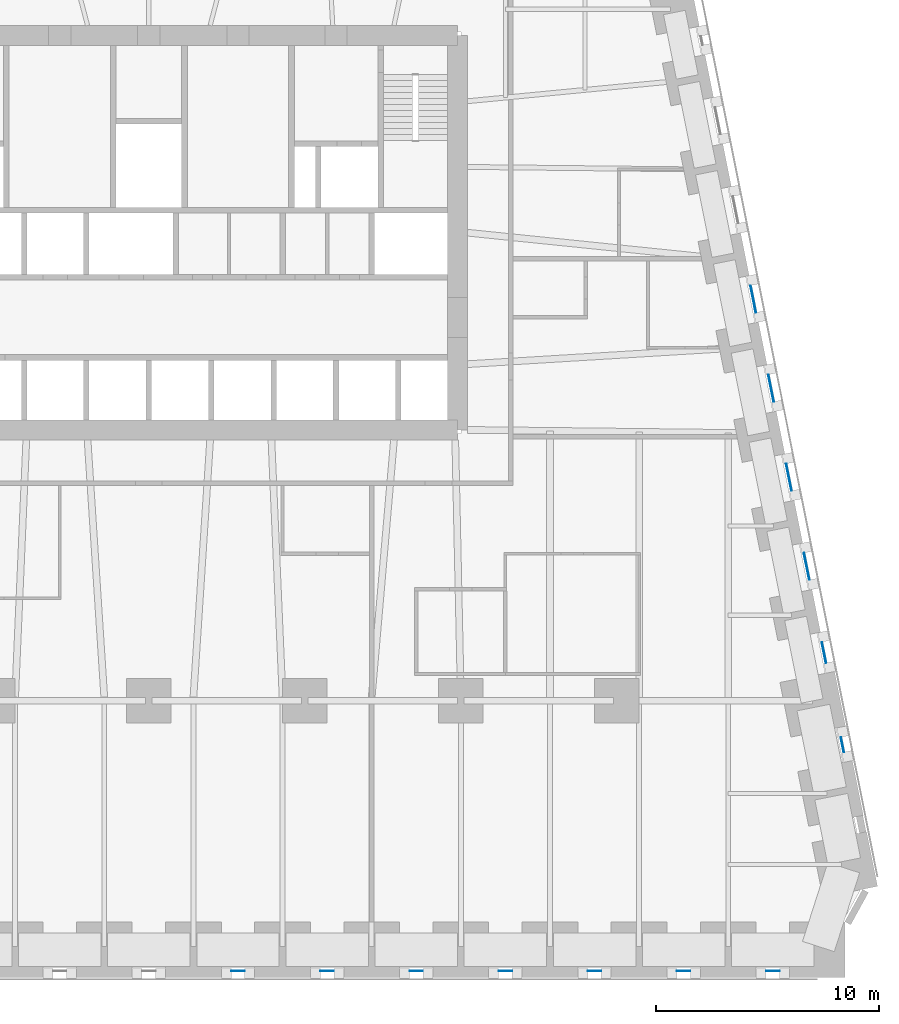
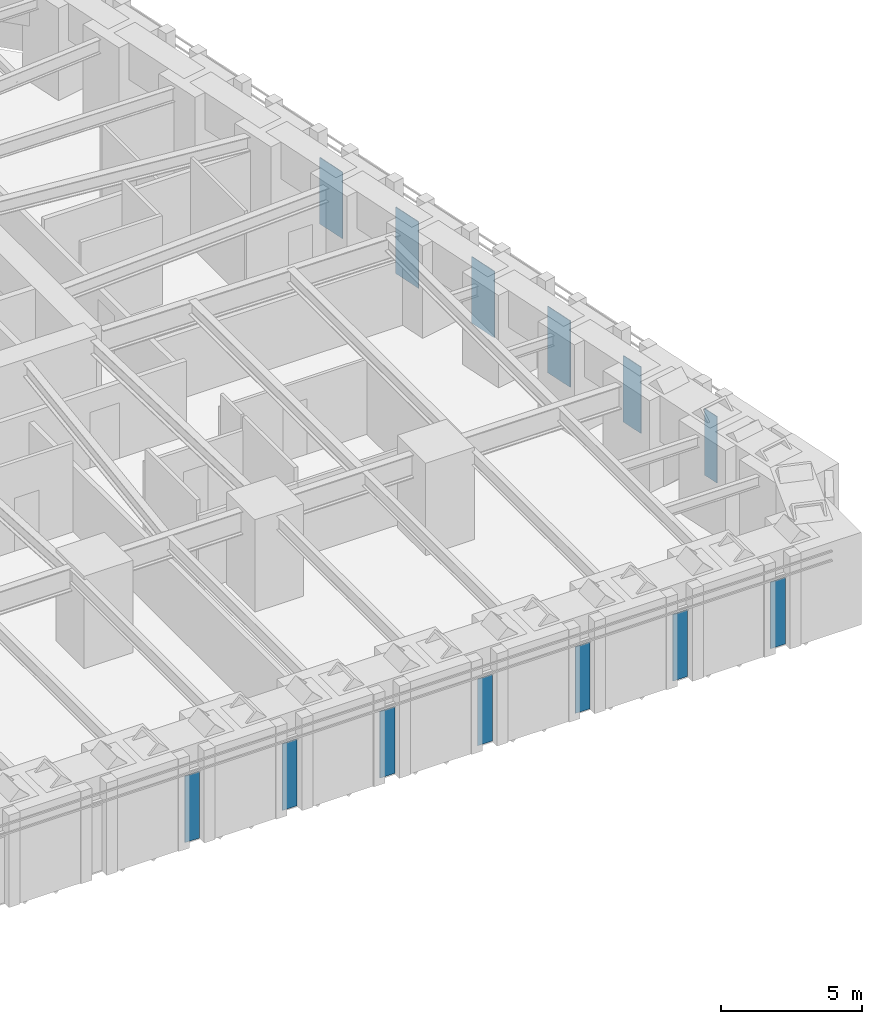
# One storey, part 9 of 16: 13 plates, 13 elements without a shape of their own.
"""IFC4 building model written with IfcOpenShell, lengths in metres."""

import ifcopenshell
import ifcopenshell.guid

model = None  # the IFC model being written
_history = None  # IfcOwnerHistory: only IFC2X3 demands one
_inside = {}  # id of a spatial element -> (the spatial element, [elements in it])
_under = {}  # id of a project, library or spatial element -> (it, [spatial elements below it])
_declared = {}  # id of a project -> (the project, [libraries it declares])
_typed = {}  # id of a type object -> (the type object, [elements of that type])
_made_of = {}  # id of a material, layer set ... -> (it, [elements and type objects made of it])


def new_model(schema):
    """Start an empty IFC model of exactly this schema.

    Asked for "IFC4X3", IfcOpenShell would pick the latest addendum, in which some entities
    have other attributes; the version numbers below select the first issue.
    IFC2X3 requires an IfcOwnerHistory on every rooted entity: one is made here for all.
    """
    global model, _history
    if schema == "IFC4X3":
        model = ifcopenshell.file(schema_version=(4, 3, 0, 0))
    else:
        model = ifcopenshell.file(schema=schema)
    _inside.clear()
    _under.clear()
    _declared.clear()
    _typed.clear()
    _made_of.clear()
    _history = None
    if model.schema == "IFC2X3":
        org = make("IfcOrganization", Name="unknown")
        user = make(
            "IfcPersonAndOrganization",
            ThePerson=make("IfcPerson", FamilyName="unknown"),
            TheOrganization=org,
        )
        app = make(
            "IfcApplication",
            ApplicationDeveloper=org,
            Version="unknown",
            ApplicationFullName="unknown",
            ApplicationIdentifier="unknown",
        )
        _history = make(
            "IfcOwnerHistory",
            OwningUser=user,
            OwningApplication=app,
            ChangeAction="ADDED",
            CreationDate=0,
        )
    return model


def make(cls, **values):
    """One entity of the class cls with the attributes given. An attribute that is None is left unset."""
    return model.create_entity(
        cls, **{name: value for name, value in values.items() if value is not None}
    )


def rooted(cls, **values):
    """An entity with a GlobalId (a new one), such as an element, a storey or a relation."""
    return make(cls, GlobalId=ifcopenshell.guid.new(), OwnerHistory=_history, **values)


def si_unit(unit_type, name, prefix=None):
    """IfcSIUnit, for example si_unit("LENGTHUNIT", "METRE", prefix="MILLI")."""
    return make("IfcSIUnit", UnitType=unit_type, Prefix=prefix, Name=name)


def assignment(units):
    """IfcUnitAssignment: the units of a project."""
    return None if units is None else make("IfcUnitAssignment", Units=units)


def point(xyz):
    """IfcCartesianPoint."""
    return None if xyz is None else make("IfcCartesianPoint", Coordinates=xyz)


def direction(xyz):
    """IfcDirection."""
    return None if xyz is None else make("IfcDirection", DirectionRatios=xyz)


def frame(location, z_axis=None, x_axis=None):
    """IfcAxis2Placement3D, a coordinate frame: its origin and axes. An axis left out is left unset."""
    return make(
        "IfcAxis2Placement3D",
        Location=point(location),
        Axis=direction(z_axis),
        RefDirection=direction(x_axis),
    )


def frame_2d(location, x_axis=None):
    """IfcAxis2Placement2D, a coordinate frame in the plane: its origin and x axis."""
    return make(
        "IfcAxis2Placement2D", Location=point(location), RefDirection=direction(x_axis)
    )


def origin():
    """The frame at (0, 0, 0) with its axes left unset."""
    return frame((0.0, 0.0, 0.0))


def origin_2d():
    """The frame at (0, 0) in the plane with its x axis left unset."""
    return frame_2d((0.0, 0.0))


def place(relative_to, where):
    """IfcLocalPlacement: puts the frame where relative to a parent placement (None: the world)."""
    return make(
        "IfcLocalPlacement", PlacementRelTo=relative_to, RelativePlacement=where
    )


def context(
    kind, dimensions, precision=None, world=None, true_north=None, identifier=None
):
    """IfcGeometricRepresentationContext, for example the 3D "Model" context."""
    return make(
        "IfcGeometricRepresentationContext",
        ContextIdentifier=identifier,
        ContextType=kind,
        CoordinateSpaceDimension=dimensions,
        Precision=precision,
        WorldCoordinateSystem=world,
        TrueNorth=true_north,
    )


def subcontext(parent, identifier, kind, view, scale=None):
    """IfcGeometricRepresentationSubContext, for example "Body" below "Model"."""
    return make(
        "IfcGeometricRepresentationSubContext",
        ContextIdentifier=identifier,
        ContextType=kind,
        ParentContext=parent,
        TargetScale=scale,
        TargetView=view,
    )


def project(units=None, contexts=None):
    """IfcProject with its units and contexts."""
    return rooted(
        "IfcProject",
        Name="project",
        RepresentationContexts=contexts,
        UnitsInContext=assignment(units),
    )


def spatial(cls, under=None, at=None, **own):
    """A site, building, storey or space (cls), placed at a placement, below another one or the project."""
    s = rooted(cls, ObjectPlacement=at, **own)
    if under is not None:
        _under.setdefault(under.id(), (under, []))[1].append(s)
    return s


def profile(cls, at=None, kind="AREA", **sizes):
    """A parametric profile (cls). Its sizes go by their IFC names, for example OverallWidth=200.0."""
    return make(cls, ProfileType=kind, Position=at, **sizes)


def rectangle(**sizes):
    """IfcRectangleProfileDef."""
    return profile("IfcRectangleProfileDef", **sizes)


def extrude(swept, where, along, depth):
    """IfcExtrudedAreaSolid: the profile swept, set in the frame where, extruded along a direction by depth."""
    return make(
        "IfcExtrudedAreaSolid",
        SweptArea=swept,
        Position=where,
        ExtrudedDirection=direction(along),
        Depth=depth,
    )


def shape(context_of_items, identifier, shape_type, items):
    """IfcShapeRepresentation: the items that make up one representation, for example the "Body"."""
    return make(
        "IfcShapeRepresentation",
        ContextOfItems=context_of_items,
        RepresentationIdentifier=identifier,
        RepresentationType=shape_type,
        Items=items,
    )


def material(Name=None, Category=None):
    """IfcMaterial."""
    return make("IfcMaterial", Name=Name, Category=Category)


def layer(
    of_material, thickness, ventilated=None, Name=None, Category=None, Priority=None
):
    """IfcMaterialLayer: one layer of a wall or slab, of a material (None: an air gap)."""
    return make(
        "IfcMaterialLayer",
        Material=of_material,
        LayerThickness=thickness,
        IsVentilated=ventilated,
        Name=Name,
        Category=Category,
        Priority=Priority,
    )


def layer_set(layers, Name=None):
    """IfcMaterialLayerSet."""
    return make("IfcMaterialLayerSet", MaterialLayers=layers, LayerSetName=Name)


def made_of(thing, what):
    """Note that an element or type object is made of a material, layer set ...; save() writes the relation."""
    if what is not None:
        _made_of.setdefault(what.id(), (what, []))[1].append(thing)
    return thing


def type_object(cls, material=None, **own):
    """A type object (cls), such as IfcWallType, which elements share."""
    return made_of(rooted(cls, **own), material)


def element(
    cls,
    number,
    at=None,
    inside=None,
    cuts=None,
    type_object=None,
    material=None,
    context=None,
    identifier="Body",
    shape_type=None,
    held_by="IfcProductDefinitionShape",
    body=None,
    shapes=None,
    **own,
):
    """One element of the class cls, such as IfcWall. Its Tag is "e" and its number.

    at: its placement. inside: the storey or other place that contains it. cuts: it is an
    opening in that element (IfcRelVoidsElement). A single representation is given by context,
    identifier, shape_type and body (its items); several are given by shapes. held_by: the class
    of the entity that holds the representations. save() writes the other relations.
    """
    e = rooted(cls, Tag="e%d" % number, ObjectPlacement=at, **own)
    if body is not None:
        shapes = [shape(context, identifier, shape_type, body)]
    if shapes is not None:
        e.Representation = make(held_by, Representations=shapes)
    if inside is not None:
        _inside.setdefault(inside.id(), (inside, []))[1].append(e)
    if cuts is not None:
        rooted(
            "IfcRelVoidsElement", RelatingBuildingElement=cuts, RelatedOpeningElement=e
        )
    if type_object is not None:
        _typed.setdefault(type_object.id(), (type_object, []))[1].append(e)
    return made_of(e, material)


def aggregate(whole, parts):
    """IfcRelAggregates: a whole, such as a stair, and the parts it consists of."""
    return rooted("IfcRelAggregates", RelatingObject=whole, RelatedObjects=parts)


def save(model, path):
    """Write the relations noted so far, then the file.

    IfcRelAggregates (storeys below a building ...), IfcRelContainedInSpatialStructure (elements
    in a storey), IfcRelDefinesByType, IfcRelAssociatesMaterial and IfcRelDeclares: one each for
    every whole, place, type object, material and project.
    """
    for whole, parts in _under.values():
        aggregate(whole, parts)
    for where, things in _inside.values():
        rooted(
            "IfcRelContainedInSpatialStructure",
            RelatedElements=things,
            RelatingStructure=where,
        )
    for kind, things in _typed.values():
        rooted("IfcRelDefinesByType", RelatedObjects=things, RelatingType=kind)
    for what, things in _made_of.values():
        rooted("IfcRelAssociatesMaterial", RelatedObjects=things, RelatingMaterial=what)
    for by, libraries in _declared.values():
        rooted("IfcRelDeclares", RelatingContext=by, RelatedDefinitions=libraries)
    model.write(path)


model = new_model("IFC4")

# Units and contexts
model_context = context("Model", 3, precision=1e-05, world=origin(), true_north=direction((0.0, 1.0)))
body_context = subcontext(model_context, "Body", "Model", "MODEL_VIEW")
ifc_project = project(units=[si_unit("LENGTHUNIT", "METRE"), si_unit("AREAUNIT", "SQUARE_METRE"), si_unit("VOLUMEUNIT", "CUBIC_METRE"), si_unit("PLANEANGLEUNIT", "RADIAN"), si_unit("MASSUNIT", "GRAM", prefix="KILO")], contexts=[model_context])

# Site, building, storey
site_placement = place(None, origin())
site = spatial("IfcSite", under=ifc_project, at=site_placement, CompositionType="ELEMENT")
building_placement = place(site_placement, origin())
building = spatial("IfcBuilding", under=site, at=building_placement, Name="Isbrekke Arena Tower", CompositionType="ELEMENT")
storey_placement = place(building_placement, frame((0.0, 0.0, 44.0)))
storey = spatial("IfcBuildingStorey", under=building, at=storey_placement, Name="L08", CompositionType="ELEMENT", Elevation=44.0)

# Curtain wall, plate
ifc_material_1 = material(Name="Glazed aluminium curtain wall", Category="aluminium")
curtain_wall_type = type_object("IfcCurtainWallType", Name="CWL TOWER CURTAIN WALL LOW ZONE", PredefinedType="USERDEFINED", material=ifc_material_1)
curtain_wall_1_placement = place(storey_placement, origin())
curtain_wall_1 = element("IfcCurtainWall", 1, at=curtain_wall_1_placement, inside=storey, type_object=curtain_wall_type, Name="CWL curtain wall L08-S17", ObjectType="TOWER CURTAIN WALL LOW ZONE", PredefinedType="USERDEFINED")
ifc_material_2 = material(Name="Triple-glazed clear glass unit", Category="glass")
ifc_layer = layer(ifc_material_2, 0.031982421875)
ifc_layer_set = layer_set([ifc_layer], Name="CWL-P VISION PANEL")
plate_type = type_object("IfcPlateType", Name="CWL-P VISION PANEL", PredefinedType="CURTAIN_PANEL", material=ifc_layer_set)
plate_1_placement = place(storey_placement, frame((4.0, -18.125, 0.02001953125), z_axis=(0.0, 0.0, 1.0), x_axis=(1.0, 0.0, 0.0)))
plate_1 = element("IfcPlate", 2, at=plate_1_placement, type_object=plate_type, Name="CWL-P panel 1", PredefinedType="CURTAIN_PANEL", context=body_context, shape_type="SweptSolid", body=[
    extrude(rectangle(XDim=0.60009765625, YDim=0.031982421875, at=origin_2d()), origin(), (0.0, 0.0, 1.0), 2.8798828125),
])
aggregate(curtain_wall_1, [plate_1])

curtain_wall_2_placement = place(storey_placement, origin())
curtain_wall_2 = element("IfcCurtainWall", 3, at=curtain_wall_2_placement, inside=storey, type_object=curtain_wall_type, Name="CWL curtain wall L08-S19", ObjectType="TOWER CURTAIN WALL LOW ZONE", PredefinedType="USERDEFINED")
plate_2_placement = place(storey_placement, frame((8.0, -18.125, 0.02001953125), z_axis=(0.0, 0.0, 1.0), x_axis=(1.0, 0.0, 0.0)))
plate_2 = element("IfcPlate", 4, at=plate_2_placement, type_object=plate_type, Name="CWL-P panel 1", PredefinedType="CURTAIN_PANEL", context=body_context, shape_type="SweptSolid", body=[
    extrude(rectangle(XDim=0.60009765625, YDim=0.031982421875, at=origin_2d()), origin(), (0.0, 0.0, 1.0), 2.8798828125),
])
aggregate(curtain_wall_2, [plate_2])

curtain_wall_3_placement = place(storey_placement, origin())
curtain_wall_3 = element("IfcCurtainWall", 5, at=curtain_wall_3_placement, inside=storey, type_object=curtain_wall_type, Name="CWL curtain wall L08-S21", ObjectType="TOWER CURTAIN WALL LOW ZONE", PredefinedType="USERDEFINED")
plate_3_placement = place(storey_placement, frame((12.0, -18.125, 0.02001953125), z_axis=(0.0, 0.0, 1.0), x_axis=(1.0, 0.0, 0.0)))
plate_3 = element("IfcPlate", 6, at=plate_3_placement, type_object=plate_type, Name="CWL-P panel 1", PredefinedType="CURTAIN_PANEL", context=body_context, shape_type="SweptSolid", body=[
    extrude(rectangle(XDim=0.60009765625, YDim=0.031982421875, at=origin_2d()), origin(), (0.0, 0.0, 1.0), 2.8798828125),
])
aggregate(curtain_wall_3, [plate_3])

curtain_wall_4_placement = place(storey_placement, origin())
curtain_wall_4 = element("IfcCurtainWall", 7, at=curtain_wall_4_placement, inside=storey, type_object=curtain_wall_type, Name="CWL curtain wall L08-S23", ObjectType="TOWER CURTAIN WALL LOW ZONE", PredefinedType="USERDEFINED")
plate_4_placement = place(storey_placement, frame((16.0, -18.125, 0.02001953125), z_axis=(0.0, 0.0, 1.0), x_axis=(1.0, 0.0, 0.0)))
plate_4 = element("IfcPlate", 8, at=plate_4_placement, type_object=plate_type, Name="CWL-P panel 1", PredefinedType="CURTAIN_PANEL", context=body_context, shape_type="SweptSolid", body=[
    extrude(rectangle(XDim=0.60009765625, YDim=0.031982421875, at=origin_2d()), origin(), (0.0, 0.0, 1.0), 2.8798828125),
])
aggregate(curtain_wall_4, [plate_4])

curtain_wall_5_placement = place(storey_placement, origin())
curtain_wall_5 = element("IfcCurtainWall", 9, at=curtain_wall_5_placement, inside=storey, type_object=curtain_wall_type, Name="CWL curtain wall L08-S25", ObjectType="TOWER CURTAIN WALL LOW ZONE", PredefinedType="USERDEFINED")
plate_5_placement = place(storey_placement, frame((20.0, -18.125, 0.02001953125), z_axis=(0.0, 0.0, 1.0), x_axis=(1.0, 0.0, 0.0)))
plate_5 = element("IfcPlate", 10, at=plate_5_placement, type_object=plate_type, Name="CWL-P panel 1", PredefinedType="CURTAIN_PANEL", context=body_context, shape_type="SweptSolid", body=[
    extrude(rectangle(XDim=0.60009765625, YDim=0.031982421875, at=origin_2d()), origin(), (0.0, 0.0, 1.0), 2.8798828125),
])
aggregate(curtain_wall_5, [plate_5])

curtain_wall_6_placement = place(storey_placement, origin())
curtain_wall_6 = element("IfcCurtainWall", 11, at=curtain_wall_6_placement, inside=storey, type_object=curtain_wall_type, Name="CWL curtain wall L08-S27", ObjectType="TOWER CURTAIN WALL LOW ZONE", PredefinedType="USERDEFINED")
plate_6_placement = place(storey_placement, frame((24.0, -18.125, 0.02001953125), z_axis=(0.0, 0.0, 1.0), x_axis=(1.0, 0.0, 0.0)))
plate_6 = element("IfcPlate", 12, at=plate_6_placement, type_object=plate_type, Name="CWL-P panel 1", PredefinedType="CURTAIN_PANEL", context=body_context, shape_type="SweptSolid", body=[
    extrude(rectangle(XDim=0.60009765625, YDim=0.031982421875, at=origin_2d()), origin(), (0.0, 0.0, 1.0), 2.8798828125),
])
aggregate(curtain_wall_6, [plate_6])

curtain_wall_7_placement = place(storey_placement, origin())
curtain_wall_7 = element("IfcCurtainWall", 13, at=curtain_wall_7_placement, inside=storey, type_object=curtain_wall_type, Name="CWL curtain wall L08-S29", ObjectType="TOWER CURTAIN WALL LOW ZONE", PredefinedType="USERDEFINED")
plate_7_placement = place(storey_placement, frame((28.0009765625, -18.125, 0.02001953125), z_axis=(0.0, 0.0, 1.0), x_axis=(1.0, 0.0, 0.0)))
plate_7 = element("IfcPlate", 14, at=plate_7_placement, type_object=plate_type, Name="CWL-P panel 1", PredefinedType="CURTAIN_PANEL", context=body_context, shape_type="SweptSolid", body=[
    extrude(rectangle(XDim=0.60205078125, YDim=0.031982421875, at=origin_2d()), origin(), (0.0, 0.0, 1.0), 2.8798828125),
])
aggregate(curtain_wall_7, [plate_7])

curtain_wall_8_placement = place(storey_placement, origin())
curtain_wall_8 = element("IfcCurtainWall", 15, at=curtain_wall_8_placement, inside=storey, type_object=curtain_wall_type, Name="CWL curtain wall L08-E3", ObjectType="TOWER CURTAIN WALL LOW ZONE", PredefinedType="USERDEFINED")
plate_8_placement = place(storey_placement, frame((31.12255859375, -7.9755859375, 0.02001953125), z_axis=(0.0, 0.0, 1.0), x_axis=(-0.196116135138, 0.980580675691, 0.0)))
plate_8 = element("IfcPlate", 16, at=plate_8_placement, type_object=plate_type, Name="CWL-P panel 1", PredefinedType="CURTAIN_PANEL", context=body_context, shape_type="SweptSolid", body=[
    extrude(rectangle(XDim=0.67919921875, YDim=0.031982421875, at=origin_2d()), origin(), (0.0, 0.0, 1.0), 2.8798828125),
])
aggregate(curtain_wall_8, [plate_8])

curtain_wall_9_placement = place(storey_placement, origin())
curtain_wall_9 = element("IfcCurtainWall", 17, at=curtain_wall_9_placement, inside=storey, type_object=curtain_wall_type, Name="CWL curtain wall L08-E5", ObjectType="TOWER CURTAIN WALL LOW ZONE", PredefinedType="USERDEFINED")
plate_9_placement = place(storey_placement, frame((30.295654296875, -3.840576171875, 0.02001953125), z_axis=(0.0, 0.0, 1.0), x_axis=(-0.196116135138, 0.980580675691, 0.0)))
plate_9 = element("IfcPlate", 18, at=plate_9_placement, type_object=plate_type, Name="CWL-P panel 1", PredefinedType="CURTAIN_PANEL", context=body_context, shape_type="SweptSolid", body=[
    extrude(rectangle(XDim=0.9541015625, YDim=0.031982421875, at=origin_2d()), origin(), (0.0, 0.0, 1.0), 2.8798828125),
])
aggregate(curtain_wall_9, [plate_9])

curtain_wall_10_placement = place(storey_placement, origin())
curtain_wall_10 = element("IfcCurtainWall", 19, at=curtain_wall_10_placement, inside=storey, type_object=curtain_wall_type, Name="CWL curtain wall L08-E7", ObjectType="TOWER CURTAIN WALL LOW ZONE", PredefinedType="USERDEFINED")
plate_10_placement = place(storey_placement, frame((29.5224609375, 0.0244140625, 0.02001953125), z_axis=(0.0, 0.0, 1.0), x_axis=(-0.196116135138, 0.980580675691, 0.0)))
plate_10 = element("IfcPlate", 20, at=plate_10_placement, type_object=plate_type, Name="CWL-P panel 1", PredefinedType="CURTAIN_PANEL", context=body_context, shape_type="SweptSolid", body=[
    extrude(rectangle(XDim=1.229248046875, YDim=0.031982421875, at=origin_2d()), origin(), (0.0, 0.0, 1.0), 2.8798828125),
])
aggregate(curtain_wall_10, [plate_10])

curtain_wall_11_placement = place(storey_placement, origin())
curtain_wall_11 = element("IfcCurtainWall", 21, at=curtain_wall_11_placement, inside=storey, type_object=curtain_wall_type, Name="CWL curtain wall L08-E9", ObjectType="TOWER CURTAIN WALL LOW ZONE", PredefinedType="USERDEFINED")
plate_11_placement = place(storey_placement, frame((28.72265625, 4.0244140625, 0.02001953125), z_axis=(0.0, 0.0, 1.0), x_axis=(-0.196116135138, 0.980580675691, 0.0)))
plate_11 = element("IfcPlate", 22, at=plate_11_placement, type_object=plate_type, Name="CWL-P panel 1", PredefinedType="CURTAIN_PANEL", context=body_context, shape_type="SweptSolid", body=[
    extrude(rectangle(XDim=1.229248046875, YDim=0.031982421875, at=origin_2d()), origin(), (0.0, 0.0, 1.0), 2.8798828125),
])
aggregate(curtain_wall_11, [plate_11])

curtain_wall_12_placement = place(storey_placement, origin())
curtain_wall_12 = element("IfcCurtainWall", 23, at=curtain_wall_12_placement, inside=storey, type_object=curtain_wall_type, Name="CWL curtain wall L08-E11", ObjectType="TOWER CURTAIN WALL LOW ZONE", PredefinedType="USERDEFINED")
plate_12_placement = place(storey_placement, frame((27.922607421875, 8.0244140625, 0.02001953125), z_axis=(0.0, 0.0, 1.0), x_axis=(-0.196116135138, 0.980580675691, 0.0)))
plate_12 = element("IfcPlate", 24, at=plate_12_placement, type_object=plate_type, Name="CWL-P panel 1", PredefinedType="CURTAIN_PANEL", context=body_context, shape_type="SweptSolid", body=[
    extrude(rectangle(XDim=1.229248046875, YDim=0.031982421875, at=origin_2d()), origin(), (0.0, 0.0, 1.0), 2.8798828125),
])
aggregate(curtain_wall_12, [plate_12])

curtain_wall_13_placement = place(storey_placement, origin())
curtain_wall_13 = element("IfcCurtainWall", 25, at=curtain_wall_13_placement, inside=storey, type_object=curtain_wall_type, Name="CWL curtain wall L08-E13", ObjectType="TOWER CURTAIN WALL LOW ZONE", PredefinedType="USERDEFINED")
plate_13_placement = place(storey_placement, frame((27.12255859375, 12.0244140625, 0.02001953125), z_axis=(0.0, 0.0, 1.0), x_axis=(-0.196116135138, 0.980580675691, 0.0)))
plate_13 = element("IfcPlate", 26, at=plate_13_placement, type_object=plate_type, Name="CWL-P panel 1", PredefinedType="CURTAIN_PANEL", context=body_context, shape_type="SweptSolid", body=[
    extrude(rectangle(XDim=1.229248046875, YDim=0.031982421875, at=origin_2d()), origin(), (0.0, 0.0, 1.0), 2.8798828125),
])
aggregate(curtain_wall_13, [plate_13])

save(model, "model.ifc")
